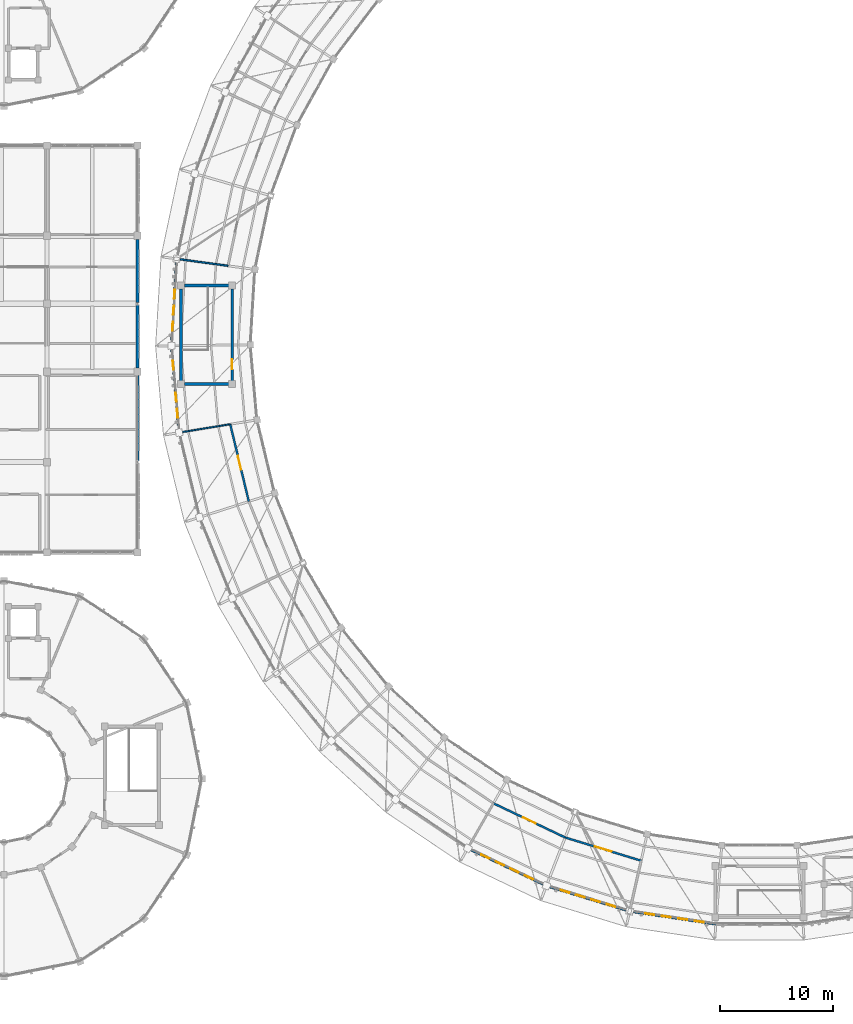
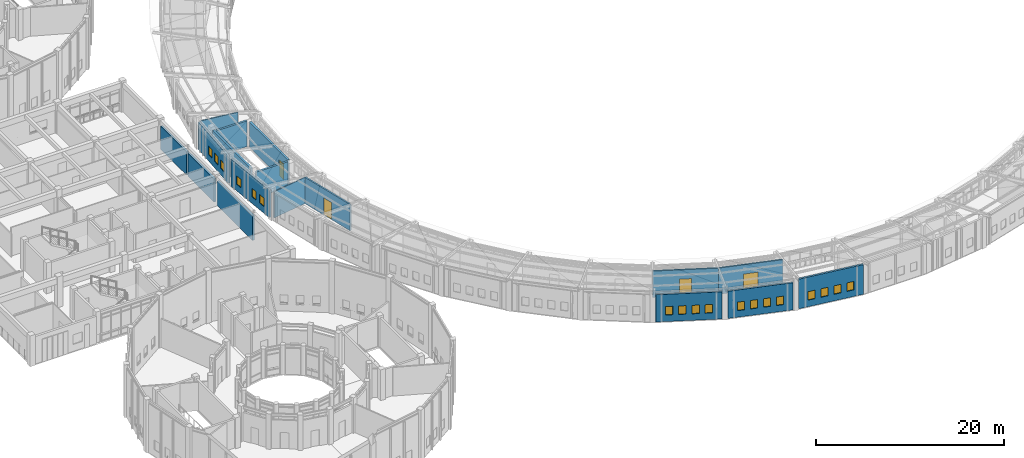
# One storey, part 122 of 149: 18 windows, 17 walls, 4 doors, 22 openings.
"""IFC4 building model written with IfcOpenShell, lengths in metres."""

from ifc_helpers import new_model, si_unit, direction, frame, frame_2d, origin, place, context, subcontext, project, spatial, rectangle, extrude, material, layer, layer_set, type_object, element, fill, save


model = new_model("IFC4")

# Units and contexts
model_context = context("Model", 3, precision=1e-05, world=origin(), true_north=direction((0.0, 1.0)))
body_context = subcontext(model_context, "Body", "Model", "MODEL_VIEW")
ifc_project = project(units=[si_unit("LENGTHUNIT", "METRE"), si_unit("AREAUNIT", "SQUARE_METRE"), si_unit("VOLUMEUNIT", "CUBIC_METRE"), si_unit("PLANEANGLEUNIT", "RADIAN"), si_unit("MASSUNIT", "GRAM", prefix="KILO")], contexts=[model_context])

# Site, building, storey
site_placement = place(None, origin())
site = spatial("IfcSite", under=ifc_project, at=site_placement, CompositionType="ELEMENT")
building_placement = place(site_placement, origin())
building = spatial("IfcBuilding", under=site, at=building_placement, Name="Celadon Cloister-Ring School", CompositionType="ELEMENT")
storey_placement = place(building_placement, frame((0.0, 0.0, 12.5)))
storey = spatial("IfcBuildingStorey", under=building, at=storey_placement, Name="L03", CompositionType="ELEMENT", Elevation=12.5)

# Walls
ifc_material_1 = material(Name="Rendered concrete blockwork", Category="masonry")
ifc_layer_1 = layer(ifc_material_1, 0.260009765625)
ifc_layer_set_1 = layer_set([ifc_layer_1], Name="Rendered concrete blockwork")
wall_type_1 = type_object("IfcWallType", Name="WT-EX2", PredefinedType="SOLIDWALL", material=ifc_layer_set_1)
for number, where, z_axis, x_axis, name in (
    (1, (32.0, 67.673095703125, 0.0), (0.0, 0.0, 1.0), (0.0, -1.0, 0.0), "Exterior Wall 0532"),
    (2, (32.0, 61.887939453125, 0.0), (0.0, 0.0, 1.0), (0.0, -1.0, 0.0), "Exterior Wall 0533"),
):
    element("IfcWall", number, at=place(storey_placement, frame(where, z_axis=z_axis, x_axis=x_axis)), inside=storey, type_object=wall_type_1, Name=name, PredefinedType="SOLIDWALL", context=body_context, shape_type="SweptSolid", body=[
        extrude(rectangle(XDim=5.56103515625, YDim=0.260009765625, at=frame_2d((2.780517578125, 0.0))), origin(), (0.0, 0.0, 1.0), 3.001953125),
    ])
wall_1_placement = place(storey_placement, frame((32.0, 55.673095703125, 0.0), z_axis=(0.0, 0.0, 1.0), x_axis=(0.0, -1.0, 0.0)))
element("IfcWall", 3, at=wall_1_placement, inside=storey, type_object=wall_type_1, Name="Exterior Wall 0534", PredefinedType="SOLIDWALL", context=body_context, shape_type="SweptSolid", body=[
    extrude(rectangle(XDim=7.56103515625, YDim=0.260009765625, at=frame_2d((3.780517578125, 0.0))), origin(), (0.0, 0.0, 1.0), 3.152099609375),
])

# Wall, openings, windows
ifc_material_2 = material(Name="Perforated terracotta clay brick masonry", Category="masonry")
ifc_layer_2 = layer(ifc_material_2, 0.219970703125)
ifc_layer_set_2 = layer_set([ifc_layer_2], Name="Perforated terracotta clay brick masonry")
wall_type_2 = type_object("IfcWallType", Name="WT-EX4", PredefinedType="SOLIDWALL", material=ifc_layer_set_2)
wall_2_placement = place(storey_placement, frame((35.02392578125, 58.591064453125, 0.0), z_axis=(0.0, 0.0, 1.0), x_axis=(0.060150575124, 0.998189314866, 0.0)))
wall_2 = element("IfcWall", 4, at=wall_2_placement, inside=storey, type_object=wall_type_2, Name="Exterior Wall 0180", PredefinedType="SOLIDWALL", context=body_context, shape_type="SweptSolid", body=[
    extrude(rectangle(XDim=7.082763671875, YDim=0.219970703125, at=frame_2d((3.54150390625, 0.0))), origin(), (0.0, 0.0, 1.0), 3.537109375),
])
opening_1_placement = place(wall_2_placement, frame((1.01708984375, 0.0, 0.85009765625)))
opening_1 = element("IfcOpeningElement", 5, at=opening_1_placement, cuts=wall_2, Name="Opening WN-01", PredefinedType="OPENING", context=body_context, shape_type="SweptSolid", body=[
    extrude(rectangle(XDim=0.800048828125, YDim=1.10009765625, at=frame_2d((0.39990234375, 0.550048828125))), frame((0.0, 0.1201171875, 0.0), z_axis=(0.0, -1.0, 0.0), x_axis=(1.0, 0.0, 0.0)), (0.0, 0.0, 1.0), 0.239990234375),
])
opening_2_placement = place(wall_2_placement, frame((2.43310546875, 0.0, 0.85009765625)))
opening_2 = element("IfcOpeningElement", 6, at=opening_2_placement, cuts=wall_2, Name="Opening WN-01", PredefinedType="OPENING", context=body_context, shape_type="SweptSolid", body=[
    extrude(rectangle(XDim=0.800048828125, YDim=1.10009765625, at=frame_2d((0.39990234375, 0.550048828125))), frame((0.0, 0.1201171875, 0.0), z_axis=(0.0, -1.0, 0.0), x_axis=(1.0, 0.0, 0.0)), (0.0, 0.0, 1.0), 0.239990234375),
])
opening_3_placement = place(wall_2_placement, frame((3.85009765625, 0.0, 0.85009765625)))
opening_3 = element("IfcOpeningElement", 7, at=opening_3_placement, cuts=wall_2, Name="Opening WN-01", PredefinedType="OPENING", context=body_context, shape_type="SweptSolid", body=[
    extrude(rectangle(XDim=0.800048828125, YDim=1.10009765625, at=frame_2d((0.39990234375, 0.550048828125))), frame((0.0, 0.1201171875, 0.0), z_axis=(0.0, -1.0, 0.0), x_axis=(1.0, 0.0, 0.0)), (0.0, 0.0, 1.0), 0.239990234375),
])
ifc_material_3 = material(Name="Tempered laminated insulating glass", Category="glass")
window_type = type_object("IfcWindowType", Name="WN-01", PartitioningType="SINGLE_PANEL", PredefinedType="WINDOW", material=ifc_material_3)
window_1_placement = place(opening_1_placement, origin())
window_1 = element("IfcWindow", 8, at=window_1_placement, inside=storey, type_object=window_type, Name="Window 0466", OverallHeight=1.10009765625, OverallWidth=0.800048828125, PartitioningType="SINGLE_PANEL", PredefinedType="WINDOW", context=body_context, shape_type="SweptSolid", body=[
    extrude(rectangle(XDim=0.800048828125, YDim=1.10009765625, at=frame_2d((0.39990234375, 0.550048828125))), frame((0.0, 0.030029296875, 0.0), z_axis=(0.0, -1.0, 0.0), x_axis=(1.0, 0.0, 0.0)), (0.0, 0.0, 1.0), 0.06005859375),
])
fill(opening_1, window_1)
window_2_placement = place(opening_2_placement, origin())
window_2 = element("IfcWindow", 9, at=window_2_placement, inside=storey, type_object=window_type, Name="Window 0467", OverallHeight=1.10009765625, OverallWidth=0.800048828125, PartitioningType="SINGLE_PANEL", PredefinedType="WINDOW", context=body_context, shape_type="SweptSolid", body=[
    extrude(rectangle(XDim=0.800048828125, YDim=1.10009765625, at=frame_2d((0.39990234375, 0.550048828125))), frame((0.0, 0.030029296875, 0.0), z_axis=(0.0, -1.0, 0.0), x_axis=(1.0, 0.0, 0.0)), (0.0, 0.0, 1.0), 0.06005859375),
])
fill(opening_2, window_2)
window_3_placement = place(opening_3_placement, origin())
window_3 = element("IfcWindow", 10, at=window_3_placement, inside=storey, type_object=window_type, Name="Window 0468", OverallHeight=1.10009765625, OverallWidth=0.800048828125, PartitioningType="SINGLE_PANEL", PredefinedType="WINDOW", context=body_context, shape_type="SweptSolid", body=[
    extrude(rectangle(XDim=0.800048828125, YDim=1.10009765625, at=frame_2d((0.39990234375, 0.550048828125))), frame((0.0, 0.030029296875, 0.0), z_axis=(0.0, -1.0, 0.0), x_axis=(1.0, 0.0, 0.0)), (0.0, 0.0, 1.0), 0.06005859375),
])
fill(opening_3, window_3)

wall_3_placement = place(storey_placement, frame((35.655029296875, 50.9169921875, 0.0), z_axis=(0.0, 0.0, 1.0), x_axis=(-0.08798335938, 0.996121944579, 0.0)))
wall_3 = element("IfcWall", 11, at=wall_3_placement, inside=storey, type_object=wall_type_2, Name="Exterior Wall 0181", PredefinedType="SOLIDWALL", context=body_context, shape_type="SweptSolid", body=[
    extrude(rectangle(XDim=7.081298828125, YDim=0.219970703125, at=frame_2d((3.54052734375, 0.0))), origin(), (0.0, 0.0, 1.0), 3.537109375),
])
opening_4_placement = place(wall_3_placement, frame((1.01611328125, 0.0, 0.85009765625)))
opening_4 = element("IfcOpeningElement", 12, at=opening_4_placement, cuts=wall_3, Name="Opening WN-01", PredefinedType="OPENING", context=body_context, shape_type="SweptSolid", body=[
    extrude(rectangle(XDim=0.800048828125, YDim=1.10009765625, at=frame_2d((0.39990234375, 0.550048828125))), frame((0.0, 0.1201171875, 0.0), z_axis=(0.0, -1.0, 0.0), x_axis=(1.0, 0.0, 0.0)), (0.0, 0.0, 1.0), 0.239990234375),
])
opening_5_placement = place(wall_3_placement, frame((2.43310546875, 0.0, 0.85009765625)))
opening_5 = element("IfcOpeningElement", 13, at=opening_5_placement, cuts=wall_3, Name="Opening WN-01", PredefinedType="OPENING", context=body_context, shape_type="SweptSolid", body=[
    extrude(rectangle(XDim=0.800048828125, YDim=1.10009765625, at=frame_2d((0.39990234375, 0.550048828125))), frame((0.0, 0.1201171875, 0.0), z_axis=(0.0, -1.0, 0.0), x_axis=(1.0, 0.0, 0.0)), (0.0, 0.0, 1.0), 0.239990234375),
])
opening_6_placement = place(wall_3_placement, frame((5.264892578125, 0.0, 0.85009765625)))
opening_6 = element("IfcOpeningElement", 14, at=opening_6_placement, cuts=wall_3, Name="Opening WN-01", PredefinedType="OPENING", context=body_context, shape_type="SweptSolid", body=[
    extrude(rectangle(XDim=0.800048828125, YDim=1.10009765625, at=frame_2d((0.39990234375, 0.550048828125))), frame((0.0, 0.1201171875, 0.0), z_axis=(0.0, -1.0, 0.0), x_axis=(1.0, 0.0, 0.0)), (0.0, 0.0, 1.0), 0.239990234375),
])
window_4_placement = place(opening_4_placement, origin())
window_4 = element("IfcWindow", 15, at=window_4_placement, inside=storey, type_object=window_type, Name="Window 0469", OverallHeight=1.10009765625, OverallWidth=0.800048828125, PartitioningType="SINGLE_PANEL", PredefinedType="WINDOW", context=body_context, shape_type="SweptSolid", body=[
    extrude(rectangle(XDim=0.800048828125, YDim=1.10009765625, at=frame_2d((0.39990234375, 0.550048828125))), frame((0.0, 0.030029296875, 0.0), z_axis=(0.0, -1.0, 0.0), x_axis=(1.0, 0.0, 0.0)), (0.0, 0.0, 1.0), 0.06005859375),
])
fill(opening_4, window_4)
window_5_placement = place(opening_5_placement, origin())
window_5 = element("IfcWindow", 16, at=window_5_placement, inside=storey, type_object=window_type, Name="Window 0470", OverallHeight=1.10009765625, OverallWidth=0.800048828125, PartitioningType="SINGLE_PANEL", PredefinedType="WINDOW", context=body_context, shape_type="SweptSolid", body=[
    extrude(rectangle(XDim=0.800048828125, YDim=1.10009765625, at=frame_2d((0.39990234375, 0.550048828125))), frame((0.0, 0.030029296875, 0.0), z_axis=(0.0, -1.0, 0.0), x_axis=(1.0, 0.0, 0.0)), (0.0, 0.0, 1.0), 0.06005859375),
])
fill(opening_5, window_5)
window_6_placement = place(opening_6_placement, origin())
window_6 = element("IfcWindow", 17, at=window_6_placement, inside=storey, type_object=window_type, Name="Window 0471", OverallHeight=1.10009765625, OverallWidth=0.800048828125, PartitioningType="SINGLE_PANEL", PredefinedType="WINDOW", context=body_context, shape_type="SweptSolid", body=[
    extrude(rectangle(XDim=0.800048828125, YDim=1.10009765625, at=frame_2d((0.39990234375, 0.550048828125))), frame((0.0, 0.030029296875, 0.0), z_axis=(0.0, -1.0, 0.0), x_axis=(1.0, 0.0, 0.0)), (0.0, 0.0, 1.0), 0.06005859375),
])
fill(opening_6, window_6)

wall_4_placement = place(storey_placement, frame((67.881103515625, 10.666015625, 0.0), z_axis=(0.0, 0.0, 1.0), x_axis=(-0.902694754948, 0.430281511792, 0.0)))
wall_4 = element("IfcWall", 18, at=wall_4_placement, inside=storey, type_object=wall_type_2, Name="Exterior Wall 0188", PredefinedType="SOLIDWALL", context=body_context, shape_type="SweptSolid", body=[
    extrude(rectangle(XDim=7.0810546875, YDim=0.219970703125, at=frame_2d((3.54052734375, 0.0))), origin(), (0.0, 0.0, 1.0), 3.537109375),
])
opening_7_placement = place(wall_4_placement, frame((1.01611328125, 0.0, 0.85009765625)))
opening_7 = element("IfcOpeningElement", 19, at=opening_7_placement, cuts=wall_4, Name="Opening WN-01", PredefinedType="OPENING", context=body_context, shape_type="SweptSolid", body=[
    extrude(rectangle(XDim=0.800048828125, YDim=1.10009765625, at=frame_2d((0.39990234375, 0.550048828125))), frame((0.0, 0.1201171875, 0.0), z_axis=(0.0, -1.0, 0.0), x_axis=(1.0, 0.0, 0.0)), (0.0, 0.0, 1.0), 0.239990234375),
])
opening_8_placement = place(wall_4_placement, frame((2.431884765625, 0.0, 0.85009765625)))
opening_8 = element("IfcOpeningElement", 20, at=opening_8_placement, cuts=wall_4, Name="Opening WN-01", PredefinedType="OPENING", context=body_context, shape_type="SweptSolid", body=[
    extrude(rectangle(XDim=0.800048828125, YDim=1.10009765625, at=frame_2d((0.39990234375, 0.550048828125))), frame((0.0, 0.1201171875, 0.0), z_axis=(0.0, -1.0, 0.0), x_axis=(1.0, 0.0, 0.0)), (0.0, 0.0, 1.0), 0.239990234375),
])
opening_9_placement = place(wall_4_placement, frame((3.84912109375, 0.0, 0.85009765625)))
opening_9 = element("IfcOpeningElement", 21, at=opening_9_placement, cuts=wall_4, Name="Opening WN-01", PredefinedType="OPENING", context=body_context, shape_type="SweptSolid", body=[
    extrude(rectangle(XDim=0.800048828125, YDim=1.10009765625, at=frame_2d((0.39990234375, 0.550048828125))), frame((0.0, 0.1201171875, 0.0), z_axis=(0.0, -1.0, 0.0), x_axis=(1.0, 0.0, 0.0)), (0.0, 0.0, 1.0), 0.239990234375),
])
opening_10_placement = place(wall_4_placement, frame((5.264892578125, 0.0, 0.85009765625)))
opening_10 = element("IfcOpeningElement", 22, at=opening_10_placement, cuts=wall_4, Name="Opening WN-01", PredefinedType="OPENING", context=body_context, shape_type="SweptSolid", body=[
    extrude(rectangle(XDim=0.800048828125, YDim=1.10009765625, at=frame_2d((0.39990234375, 0.550048828125))), frame((0.0, 0.1201171875, 0.0), z_axis=(0.0, -1.0, 0.0), x_axis=(1.0, 0.0, 0.0)), (0.0, 0.0, 1.0), 0.239990234375),
])
window_7_placement = place(opening_7_placement, origin())
window_7 = element("IfcWindow", 23, at=window_7_placement, inside=storey, type_object=window_type, Name="Window 0496", OverallHeight=1.10009765625, OverallWidth=0.800048828125, PartitioningType="SINGLE_PANEL", PredefinedType="WINDOW", context=body_context, shape_type="SweptSolid", body=[
    extrude(rectangle(XDim=0.800048828125, YDim=1.10009765625, at=frame_2d((0.39990234375, 0.550048828125))), frame((0.0, 0.030029296875, 0.0), z_axis=(0.0, -1.0, 0.0), x_axis=(1.0, 0.0, 0.0)), (0.0, 0.0, 1.0), 0.06005859375),
])
fill(opening_7, window_7)
window_8_placement = place(opening_8_placement, origin())
window_8 = element("IfcWindow", 24, at=window_8_placement, inside=storey, type_object=window_type, Name="Window 0497", OverallHeight=1.10009765625, OverallWidth=0.800048828125, PartitioningType="SINGLE_PANEL", PredefinedType="WINDOW", context=body_context, shape_type="SweptSolid", body=[
    extrude(rectangle(XDim=0.800048828125, YDim=1.10009765625, at=frame_2d((0.39990234375, 0.550048828125))), frame((0.0, 0.030029296875, 0.0), z_axis=(0.0, -1.0, 0.0), x_axis=(1.0, 0.0, 0.0)), (0.0, 0.0, 1.0), 0.06005859375),
])
fill(opening_8, window_8)
window_9_placement = place(opening_9_placement, origin())
window_9 = element("IfcWindow", 25, at=window_9_placement, inside=storey, type_object=window_type, Name="Window 0498", OverallHeight=1.10009765625, OverallWidth=0.800048828125, PartitioningType="SINGLE_PANEL", PredefinedType="WINDOW", context=body_context, shape_type="SweptSolid", body=[
    extrude(rectangle(XDim=0.800048828125, YDim=1.10009765625, at=frame_2d((0.39990234375, 0.550048828125))), frame((0.0, 0.030029296875, 0.0), z_axis=(0.0, -1.0, 0.0), x_axis=(1.0, 0.0, 0.0)), (0.0, 0.0, 1.0), 0.06005859375),
])
fill(opening_9, window_9)
window_10_placement = place(opening_10_placement, origin())
window_10 = element("IfcWindow", 26, at=window_10_placement, inside=storey, type_object=window_type, Name="Window 0499", OverallHeight=1.10009765625, OverallWidth=0.800048828125, PartitioningType="SINGLE_PANEL", PredefinedType="WINDOW", context=body_context, shape_type="SweptSolid", body=[
    extrude(rectangle(XDim=0.800048828125, YDim=1.10009765625, at=frame_2d((0.39990234375, 0.550048828125))), frame((0.0, 0.030029296875, 0.0), z_axis=(0.0, -1.0, 0.0), x_axis=(1.0, 0.0, 0.0)), (0.0, 0.0, 1.0), 0.06005859375),
])
fill(opening_10, window_10)

wall_5_placement = place(storey_placement, frame((75.23193359375, 8.3720703125, 0.0), z_axis=(0.0, 0.0, 1.0), x_axis=(-0.956377793717, 0.292132702183, 0.0)))
wall_5 = element("IfcWall", 27, at=wall_5_placement, inside=storey, type_object=wall_type_2, Name="Exterior Wall 0189", PredefinedType="SOLIDWALL", context=body_context, shape_type="SweptSolid", body=[
    extrude(rectangle(XDim=7.081787109375, YDim=0.219970703125, at=frame_2d((3.541015625, 0.0))), origin(), (0.0, 0.0, 1.0), 3.537109375),
])
opening_11_placement = place(wall_5_placement, frame((1.01611328125, 0.0, 0.85009765625)))
opening_11 = element("IfcOpeningElement", 28, at=opening_11_placement, cuts=wall_5, Name="Opening WN-01", PredefinedType="OPENING", context=body_context, shape_type="SweptSolid", body=[
    extrude(rectangle(XDim=0.800048828125, YDim=1.10009765625, at=frame_2d((0.39990234375, 0.550048828125))), frame((0.0, 0.1201171875, 0.0), z_axis=(0.0, -1.0, 0.0), x_axis=(1.0, 0.0, 0.0)), (0.0, 0.0, 1.0), 0.239990234375),
])
opening_12_placement = place(wall_5_placement, frame((2.43310546875, 0.0, 0.85009765625)))
opening_12 = element("IfcOpeningElement", 29, at=opening_12_placement, cuts=wall_5, Name="Opening WN-01", PredefinedType="OPENING", context=body_context, shape_type="SweptSolid", body=[
    extrude(rectangle(XDim=0.800048828125, YDim=1.10009765625, at=frame_2d((0.39990234375, 0.550048828125))), frame((0.0, 0.1201171875, 0.0), z_axis=(0.0, -1.0, 0.0), x_axis=(1.0, 0.0, 0.0)), (0.0, 0.0, 1.0), 0.239990234375),
])
opening_13_placement = place(wall_5_placement, frame((3.84912109375, 0.0, 0.85009765625)))
opening_13 = element("IfcOpeningElement", 30, at=opening_13_placement, cuts=wall_5, Name="Opening WN-01", PredefinedType="OPENING", context=body_context, shape_type="SweptSolid", body=[
    extrude(rectangle(XDim=0.800048828125, YDim=1.10009765625, at=frame_2d((0.39990234375, 0.550048828125))), frame((0.0, 0.1201171875, 0.0), z_axis=(0.0, -1.0, 0.0), x_axis=(1.0, 0.0, 0.0)), (0.0, 0.0, 1.0), 0.239990234375),
])
opening_14_placement = place(wall_5_placement, frame((5.26611328125, 0.0, 0.85009765625)))
opening_14 = element("IfcOpeningElement", 31, at=opening_14_placement, cuts=wall_5, Name="Opening WN-01", PredefinedType="OPENING", context=body_context, shape_type="SweptSolid", body=[
    extrude(rectangle(XDim=0.800048828125, YDim=1.10009765625, at=frame_2d((0.39990234375, 0.550048828125))), frame((0.0, 0.1201171875, 0.0), z_axis=(0.0, -1.0, 0.0), x_axis=(1.0, 0.0, 0.0)), (0.0, 0.0, 1.0), 0.239990234375),
])
window_11_placement = place(opening_11_placement, origin())
window_11 = element("IfcWindow", 32, at=window_11_placement, inside=storey, type_object=window_type, Name="Window 0500", OverallHeight=1.10009765625, OverallWidth=0.800048828125, PartitioningType="SINGLE_PANEL", PredefinedType="WINDOW", context=body_context, shape_type="SweptSolid", body=[
    extrude(rectangle(XDim=0.800048828125, YDim=1.10009765625, at=frame_2d((0.39990234375, 0.550048828125))), frame((0.0, 0.030029296875, 0.0), z_axis=(0.0, -1.0, 0.0), x_axis=(1.0, 0.0, 0.0)), (0.0, 0.0, 1.0), 0.06005859375),
])
fill(opening_11, window_11)
window_12_placement = place(opening_12_placement, origin())
window_12 = element("IfcWindow", 33, at=window_12_placement, inside=storey, type_object=window_type, Name="Window 0501", OverallHeight=1.10009765625, OverallWidth=0.800048828125, PartitioningType="SINGLE_PANEL", PredefinedType="WINDOW", context=body_context, shape_type="SweptSolid", body=[
    extrude(rectangle(XDim=0.800048828125, YDim=1.10009765625, at=frame_2d((0.39990234375, 0.550048828125))), frame((0.0, 0.030029296875, 0.0), z_axis=(0.0, -1.0, 0.0), x_axis=(1.0, 0.0, 0.0)), (0.0, 0.0, 1.0), 0.06005859375),
])
fill(opening_12, window_12)
window_13_placement = place(opening_13_placement, origin())
window_13 = element("IfcWindow", 34, at=window_13_placement, inside=storey, type_object=window_type, Name="Window 0502", OverallHeight=1.10009765625, OverallWidth=0.800048828125, PartitioningType="SINGLE_PANEL", PredefinedType="WINDOW", context=body_context, shape_type="SweptSolid", body=[
    extrude(rectangle(XDim=0.800048828125, YDim=1.10009765625, at=frame_2d((0.39990234375, 0.550048828125))), frame((0.0, 0.030029296875, 0.0), z_axis=(0.0, -1.0, 0.0), x_axis=(1.0, 0.0, 0.0)), (0.0, 0.0, 1.0), 0.06005859375),
])
fill(opening_13, window_13)
window_14_placement = place(opening_14_placement, origin())
window_14 = element("IfcWindow", 35, at=window_14_placement, inside=storey, type_object=window_type, Name="Window 0503", OverallHeight=1.10009765625, OverallWidth=0.800048828125, PartitioningType="SINGLE_PANEL", PredefinedType="WINDOW", context=body_context, shape_type="SweptSolid", body=[
    extrude(rectangle(XDim=0.800048828125, YDim=1.10009765625, at=frame_2d((0.39990234375, 0.550048828125))), frame((0.0, 0.030029296875, 0.0), z_axis=(0.0, -1.0, 0.0), x_axis=(1.0, 0.0, 0.0)), (0.0, 0.0, 1.0), 0.06005859375),
])
fill(opening_14, window_14)

wall_6_placement = place(storey_placement, frame((83.14794921875, 7.14306640625, 0.0), z_axis=(0.0, 0.0, 1.0), x_axis=(-0.989027735747, 0.147729949309, 0.0)))
wall_6 = element("IfcWall", 36, at=wall_6_placement, inside=storey, type_object=wall_type_2, Name="Exterior Wall 0190", PredefinedType="SOLIDWALL", context=body_context, shape_type="SweptSolid", body=[
    extrude(rectangle(XDim=7.39208984375, YDim=0.219970703125, at=frame_2d((3.696044921875, 0.0))), origin(), (0.0, 0.0, 1.0), 3.85009765625),
])
opening_15_placement = place(wall_6_placement, frame((1.077880859375, 0.0, 0.85009765625)))
opening_15 = element("IfcOpeningElement", 37, at=opening_15_placement, cuts=wall_6, Name="Opening WN-01", PredefinedType="OPENING", context=body_context, shape_type="SweptSolid", body=[
    extrude(rectangle(XDim=0.800048828125, YDim=1.10009765625, at=frame_2d((0.39990234375, 0.550048828125))), frame((0.0, 0.1201171875, 0.0), z_axis=(0.0, -1.0, 0.0), x_axis=(1.0, 0.0, 0.0)), (0.0, 0.0, 1.0), 0.239990234375),
])
opening_16_placement = place(wall_6_placement, frame((2.556884765625, 0.0, 0.85009765625)))
opening_16 = element("IfcOpeningElement", 38, at=opening_16_placement, cuts=wall_6, Name="Opening WN-01", PredefinedType="OPENING", context=body_context, shape_type="SweptSolid", body=[
    extrude(rectangle(XDim=0.800048828125, YDim=1.10009765625, at=frame_2d((0.39990234375, 0.550048828125))), frame((0.0, 0.1201171875, 0.0), z_axis=(0.0, -1.0, 0.0), x_axis=(1.0, 0.0, 0.0)), (0.0, 0.0, 1.0), 0.239990234375),
])
opening_17_placement = place(wall_6_placement, frame((4.034912109375, 0.0, 0.85009765625)))
opening_17 = element("IfcOpeningElement", 39, at=opening_17_placement, cuts=wall_6, Name="Opening WN-01", PredefinedType="OPENING", context=body_context, shape_type="SweptSolid", body=[
    extrude(rectangle(XDim=0.800048828125, YDim=1.10009765625, at=frame_2d((0.39990234375, 0.550048828125))), frame((0.0, 0.1201171875, 0.0), z_axis=(0.0, -1.0, 0.0), x_axis=(1.0, 0.0, 0.0)), (0.0, 0.0, 1.0), 0.239990234375),
])
opening_18_placement = place(wall_6_placement, frame((5.513916015625, 0.0, 0.85009765625)))
opening_18 = element("IfcOpeningElement", 40, at=opening_18_placement, cuts=wall_6, Name="Opening WN-01", PredefinedType="OPENING", context=body_context, shape_type="SweptSolid", body=[
    extrude(rectangle(XDim=0.800048828125, YDim=1.10009765625, at=frame_2d((0.39990234375, 0.550048828125))), frame((0.0, 0.1201171875, 0.0), z_axis=(0.0, -1.0, 0.0), x_axis=(1.0, 0.0, 0.0)), (0.0, 0.0, 1.0), 0.239990234375),
])
window_15_placement = place(opening_15_placement, origin())
window_15 = element("IfcWindow", 41, at=window_15_placement, inside=storey, type_object=window_type, Name="Window 0504", OverallHeight=1.10009765625, OverallWidth=0.800048828125, PartitioningType="SINGLE_PANEL", PredefinedType="WINDOW", context=body_context, shape_type="SweptSolid", body=[
    extrude(rectangle(XDim=0.800048828125, YDim=1.10009765625, at=frame_2d((0.39990234375, 0.550048828125))), frame((0.0, 0.030029296875, 0.0), z_axis=(0.0, -1.0, 0.0), x_axis=(1.0, 0.0, 0.0)), (0.0, 0.0, 1.0), 0.06005859375),
])
fill(opening_15, window_15)
window_16_placement = place(opening_16_placement, origin())
window_16 = element("IfcWindow", 42, at=window_16_placement, inside=storey, type_object=window_type, Name="Window 0505", OverallHeight=1.10009765625, OverallWidth=0.800048828125, PartitioningType="SINGLE_PANEL", PredefinedType="WINDOW", context=body_context, shape_type="SweptSolid", body=[
    extrude(rectangle(XDim=0.800048828125, YDim=1.10009765625, at=frame_2d((0.39990234375, 0.550048828125))), frame((0.0, 0.030029296875, 0.0), z_axis=(0.0, -1.0, 0.0), x_axis=(1.0, 0.0, 0.0)), (0.0, 0.0, 1.0), 0.06005859375),
])
fill(opening_16, window_16)
window_17_placement = place(opening_17_placement, origin())
window_17 = element("IfcWindow", 43, at=window_17_placement, inside=storey, type_object=window_type, Name="Window 0506", OverallHeight=1.10009765625, OverallWidth=0.800048828125, PartitioningType="SINGLE_PANEL", PredefinedType="WINDOW", context=body_context, shape_type="SweptSolid", body=[
    extrude(rectangle(XDim=0.800048828125, YDim=1.10009765625, at=frame_2d((0.39990234375, 0.550048828125))), frame((0.0, 0.030029296875, 0.0), z_axis=(0.0, -1.0, 0.0), x_axis=(1.0, 0.0, 0.0)), (0.0, 0.0, 1.0), 0.06005859375),
])
fill(opening_17, window_17)
window_18_placement = place(opening_18_placement, origin())
window_18 = element("IfcWindow", 44, at=window_18_placement, inside=storey, type_object=window_type, Name="Window 0507", OverallHeight=1.10009765625, OverallWidth=0.800048828125, PartitioningType="SINGLE_PANEL", PredefinedType="WINDOW", context=body_context, shape_type="SweptSolid", body=[
    extrude(rectangle(XDim=0.800048828125, YDim=1.10009765625, at=frame_2d((0.39990234375, 0.550048828125))), frame((0.0, 0.030029296875, 0.0), z_axis=(0.0, -1.0, 0.0), x_axis=(1.0, 0.0, 0.0)), (0.0, 0.0, 1.0), 0.06005859375),
])
fill(opening_18, window_18)

# Wall, opening, door
ifc_material_4 = material(Name="Plastered hollow concrete masonry", Category="masonry")
ifc_layer_3 = layer(ifc_material_4, 0.179931640625)
ifc_layer_set_3 = layer_set([ifc_layer_3], Name="Plastered hollow concrete masonry")
wall_type_3 = type_object("IfcWallType", Name="WT-PT2", PredefinedType="PARTITIONING", material=ifc_layer_set_3)
wall_7_placement = place(storey_placement, frame((40.201904296875, 51.346923828125, 0.0), z_axis=(0.0, 0.0, 1.0), x_axis=(0.234030113745, -0.972229348385, 0.0)))
wall_7 = element("IfcWall", 45, at=wall_7_placement, inside=storey, type_object=wall_type_3, Name="Interior Wall 0617", PredefinedType="PARTITIONING", context=body_context, shape_type="SweptSolid", body=[
    extrude(rectangle(XDim=7.02490234375, YDim=0.179931640625, at=frame_2d((3.512451171875, 0.0))), origin(), (0.0, 0.0, 1.0), 3.39697265625),
])
opening_19_placement = place(wall_7_placement, frame((2.887939453125, 0.0, 0.0)))
opening_19 = element("IfcOpeningElement", 46, at=opening_19_placement, cuts=wall_7, Name="Opening D-0214", PredefinedType="OPENING", context=body_context, shape_type="SweptSolid", body=[
    extrude(rectangle(XDim=1.25, YDim=2.199951171875, at=frame_2d((0.625, 1.10009765625))), frame((0.0, 0.10009765625, 0.0), z_axis=(0.0, -1.0, 0.0), x_axis=(1.0, 0.0, 0.0)), (0.0, 0.0, 1.0), 0.199951171875),
])
ifc_material_5 = material(Name="Galvanised fire-rated hollow steel leaf", Category="steel")
door_type_1 = type_object("IfcDoorType", Name="DT-10", OperationType="NOTDEFINED", PredefinedType="DOOR", material=ifc_material_5)
door_1_placement = place(opening_19_placement, origin())
door_1 = element("IfcDoor", 47, at=door_1_placement, inside=storey, type_object=door_type_1, Name="Door D-0214", OperationType="SINGLE_SWING_RIGHT", OverallHeight=2.199951171875, OverallWidth=1.25, PredefinedType="DOOR", context=body_context, shape_type="SweptSolid", body=[
    extrude(rectangle(XDim=1.25, YDim=2.199951171875, at=frame_2d((0.625, 1.10009765625))), frame((0.0, 0.02490234375, 0.0), z_axis=(0.0, -1.0, 0.0), x_axis=(1.0, 0.0, 0.0)), (0.0, 0.0, 1.0), 0.050048828125),
])
fill(opening_19, door_1)

wall_8_placement = place(storey_placement, frame((63.47900390625, 17.823974609375, 0.0), z_axis=(0.0, 0.0, 1.0), x_axis=(0.90269858831, -0.430273469625, 0.0)))
wall_8 = element("IfcWall", 48, at=wall_8_placement, inside=storey, type_object=wall_type_3, Name="Interior Wall 0623", PredefinedType="PARTITIONING", context=body_context, shape_type="SweptSolid", body=[
    extrude(rectangle(XDim=7.025634765625, YDim=0.179931640625, at=frame_2d((3.5126953125, 0.0))), origin(), (0.0, 0.0, 1.0), 3.39697265625),
])
opening_20_placement = place(wall_8_placement, frame((2.887939453125, 0.0, 0.0)))
opening_20 = element("IfcOpeningElement", 49, at=opening_20_placement, cuts=wall_8, Name="Opening D-0220", PredefinedType="OPENING", context=body_context, shape_type="SweptSolid", body=[
    extrude(rectangle(XDim=1.25, YDim=2.199951171875, at=frame_2d((0.625, 1.10009765625))), frame((0.0, 0.10009765625, 0.0), z_axis=(0.0, -1.0, 0.0), x_axis=(1.0, 0.0, 0.0)), (0.0, 0.0, 1.0), 0.199951171875),
])
door_2_placement = place(opening_20_placement, origin())
door_2 = element("IfcDoor", 50, at=door_2_placement, inside=storey, type_object=door_type_1, Name="Door D-0220", OperationType="SINGLE_SWING_RIGHT", OverallHeight=2.199951171875, OverallWidth=1.25, PredefinedType="DOOR", context=body_context, shape_type="SweptSolid", body=[
    extrude(rectangle(XDim=1.25, YDim=2.199951171875, at=frame_2d((0.625, 1.10009765625))), frame((0.0, 0.02490234375, 0.0), z_axis=(0.0, -1.0, 0.0), x_axis=(1.0, 0.0, 0.0)), (0.0, 0.0, 1.0), 0.050048828125),
])
fill(opening_20, door_2)

wall_9_placement = place(storey_placement, frame((69.821044921875, 14.801025390625, 0.0), z_axis=(0.0, 0.0, 1.0), x_axis=(0.956341588058, -0.292251205218, 0.0)))
wall_9 = element("IfcWall", 51, at=wall_9_placement, inside=storey, type_object=wall_type_3, Name="Interior Wall 0624", PredefinedType="PARTITIONING", context=body_context, shape_type="SweptSolid", body=[
    extrude(rectangle(XDim=7.024658203125, YDim=0.179931640625, at=frame_2d((3.51220703125, 0.0))), origin(), (0.0, 0.0, 1.0), 3.39697265625),
])
opening_21_placement = place(wall_9_placement, frame((2.737060546875, 0.0, 0.0)))
opening_21 = element("IfcOpeningElement", 52, at=opening_21_placement, cuts=wall_9, Name="Opening D-0221", PredefinedType="OPENING", context=body_context, shape_type="SweptSolid", body=[
    extrude(rectangle(XDim=1.550048828125, YDim=2.199951171875, at=frame_2d((0.77490234375, 1.10009765625))), frame((0.0, 0.10009765625, 0.0), z_axis=(0.0, -1.0, 0.0), x_axis=(1.0, 0.0, 0.0)), (0.0, 0.0, 1.0), 0.199951171875),
])
ifc_material_6 = material(Name="Galvanised fire-rated hollow steel leaf", Category="steel")
door_type_2 = type_object("IfcDoorType", Name="DT-13", OperationType="NOTDEFINED", PredefinedType="DOOR", material=ifc_material_6)
door_3_placement = place(opening_21_placement, origin())
door_3 = element("IfcDoor", 53, at=door_3_placement, inside=storey, type_object=door_type_2, Name="Door D-0221", OperationType="SINGLE_SWING_LEFT", OverallHeight=2.199951171875, OverallWidth=1.550048828125, PredefinedType="DOOR", context=body_context, shape_type="SweptSolid", body=[
    extrude(rectangle(XDim=1.550048828125, YDim=2.199951171875, at=frame_2d((0.77490234375, 1.10009765625))), frame((0.0, 0.02490234375, 0.0), z_axis=(0.0, -1.0, 0.0), x_axis=(1.0, 0.0, 0.0)), (0.0, 0.0, 1.0), 0.050048828125),
])
fill(opening_21, door_3)

# Walls
ifc_material_7 = material(Name="Acoustic mineral-wool drywall partition")
ifc_layer_4 = layer(ifc_material_7, 0.139892578125)
ifc_layer_set_4 = layer_set([ifc_layer_4], Name="Acoustic mineral-wool drywall partition")
wall_type_4 = type_object("IfcWallType", Name="WT-PT4", PredefinedType="PARTITIONING", material=ifc_layer_set_4)
wall_10_placement = place(storey_placement, frame((40.008056640625, 65.35693359375, 0.0), z_axis=(0.0, 0.0, 1.0), x_axis=(-0.990973022603, 0.134061435445, 0.0)))
element("IfcWall", 54, at=wall_10_placement, inside=storey, type_object=wall_type_4, Name="Interior Wall 0594", PredefinedType="PARTITIONING", context=body_context, shape_type="SweptSolid", body=[
    extrude(rectangle(XDim=4.288818359375, YDim=0.139892578125, at=frame_2d((2.14453125, 0.0))), origin(), (0.0, 0.0, 1.0), 3.39697265625),
])
ifc_material_8 = material(Name="Acoustic mineral-wool drywall partition")
ifc_layer_5 = layer(ifc_material_8, 0.1201171875)
ifc_layer_set_5 = layer_set([ifc_layer_5], Name="Acoustic mineral-wool drywall partition")
wall_type_5 = type_object("IfcWallType", Name="WT-PT5", PredefinedType="PARTITIONING", material=ifc_layer_set_5)
wall_11_placement = place(storey_placement, frame((40.201904296875, 51.346923828125, 0.0), z_axis=(0.0, 0.0, 1.0), x_axis=(-0.986860722003, -0.161573250781, 0.0)))
element("IfcWall", 55, at=wall_11_placement, inside=storey, type_object=wall_type_5, Name="Interior Wall 0595", PredefinedType="PARTITIONING", context=body_context, shape_type="SweptSolid", body=[
    extrude(rectangle(XDim=4.288330078125, YDim=0.1201171875, at=frame_2d((2.14404296875, 0.0))), origin(), (0.0, 0.0, 1.0), 3.39697265625),
])
ifc_material_9 = material(Name="Concrete C40/50", Category="concrete")
ifc_layer_6 = layer(ifc_material_9, 0.239990234375)
ifc_layer_set_6 = layer_set([ifc_layer_6], Name="Concrete C40/50")
wall_type_6 = type_object("IfcWallType", Name="WT-SH1", PredefinedType="SHEAR", material=ifc_layer_set_6)
wall_12_placement = place(storey_placement, frame((35.85009765625, 55.19189453125, 0.0), z_axis=(0.0, 0.0, 1.0), x_axis=(0.0, 1.0, 0.0)))
element("IfcWall", 56, at=wall_12_placement, inside=storey, type_object=wall_type_6, Name="Interior Wall 0189", PredefinedType="SHEAR", context=body_context, shape_type="SweptSolid", body=[
    extrude(rectangle(XDim=8.135986328125, YDim=0.239990234375, at=frame_2d((4.06787109375, 0.0))), origin(), (0.0, 0.0, 1.0), 3.739990234375),
])

# Wall, opening, door
wall_13_placement = place(storey_placement, frame((40.3701171875, 63.327880859375, 0.0), z_axis=(0.0, 0.0, 1.0), x_axis=(0.0, -1.0, 0.0)))
wall_13 = element("IfcWall", 57, at=wall_13_placement, inside=storey, type_object=wall_type_6, Name="Interior Wall 0190", PredefinedType="SHEAR", context=body_context, shape_type="SweptSolid", body=[
    extrude(rectangle(XDim=8.135986328125, YDim=0.239990234375, at=frame_2d((4.06787109375, 0.0))), origin(), (0.0, 0.0, 1.0), 3.25390625),
])
opening_22_placement = place(wall_13_placement, frame((6.243896484375, 0.0, 0.0)))
opening_22 = element("IfcOpeningElement", 58, at=opening_22_placement, cuts=wall_13, Name="Opening D-0080", PredefinedType="OPENING", context=body_context, shape_type="SweptSolid", body=[
    extrude(rectangle(XDim=0.8798828125, YDim=2.10009765625, at=frame_2d((0.43994140625, 1.050048828125))), frame((0.0, 0.1298828125, 0.0), z_axis=(0.0, -1.0, 0.0), x_axis=(1.0, 0.0, 0.0)), (0.0, 0.0, 1.0), 0.260009765625),
])
ifc_material_10 = material(Name="Solid-core fire-rated hardwood leaf", Category="wood")
door_type_3 = type_object("IfcDoorType", Name="DT-01", OperationType="NOTDEFINED", PredefinedType="DOOR", material=ifc_material_10)
door_4_placement = place(opening_22_placement, origin())
door_4 = element("IfcDoor", 59, at=door_4_placement, inside=storey, type_object=door_type_3, Name="Door D-0080", OperationType="SINGLE_SWING_RIGHT", OverallHeight=2.10009765625, OverallWidth=0.8798828125, PredefinedType="DOOR", context=body_context, shape_type="SweptSolid", body=[
    extrude(rectangle(XDim=0.8798828125, YDim=2.10009765625, at=frame_2d((0.43994140625, 1.050048828125))), frame((0.0, 0.02490234375, 0.0), z_axis=(0.0, -1.0, 0.0), x_axis=(1.0, 0.0, 0.0)), (0.0, 0.0, 1.0), 0.050048828125),
])
fill(opening_22, door_4)

# Walls
wall_14_placement = place(storey_placement, frame((40.077880859375, 54.89990234375, 0.0), z_axis=(0.0, 0.0, 1.0), x_axis=(-1.0, 0.0, 0.0)))
element("IfcWall", 60, at=wall_14_placement, inside=storey, type_object=wall_type_6, Name="Interior Wall 0191", PredefinedType="SHEAR", context=body_context, shape_type="SweptSolid", body=[
    extrude(rectangle(XDim=3.935791015625, YDim=0.239990234375, at=frame_2d((1.9677734375, 0.0))), origin(), (0.0, 0.0, 1.0), 3.324951171875),
])
wall_15_placement = place(storey_placement, frame((40.077880859375, 63.6201171875, 0.0), z_axis=(0.0, 0.0, 1.0), x_axis=(-1.0, 0.0, 0.0)))
element("IfcWall", 61, at=wall_15_placement, inside=storey, type_object=wall_type_6, Name="Interior Wall 0192", PredefinedType="SHEAR", context=body_context, shape_type="SweptSolid", body=[
    extrude(rectangle(XDim=3.935791015625, YDim=0.239990234375, at=frame_2d((1.9677734375, 0.0))), origin(), (0.0, 0.0, 1.0), 3.3359375),
])

save(model, "model.ifc")
